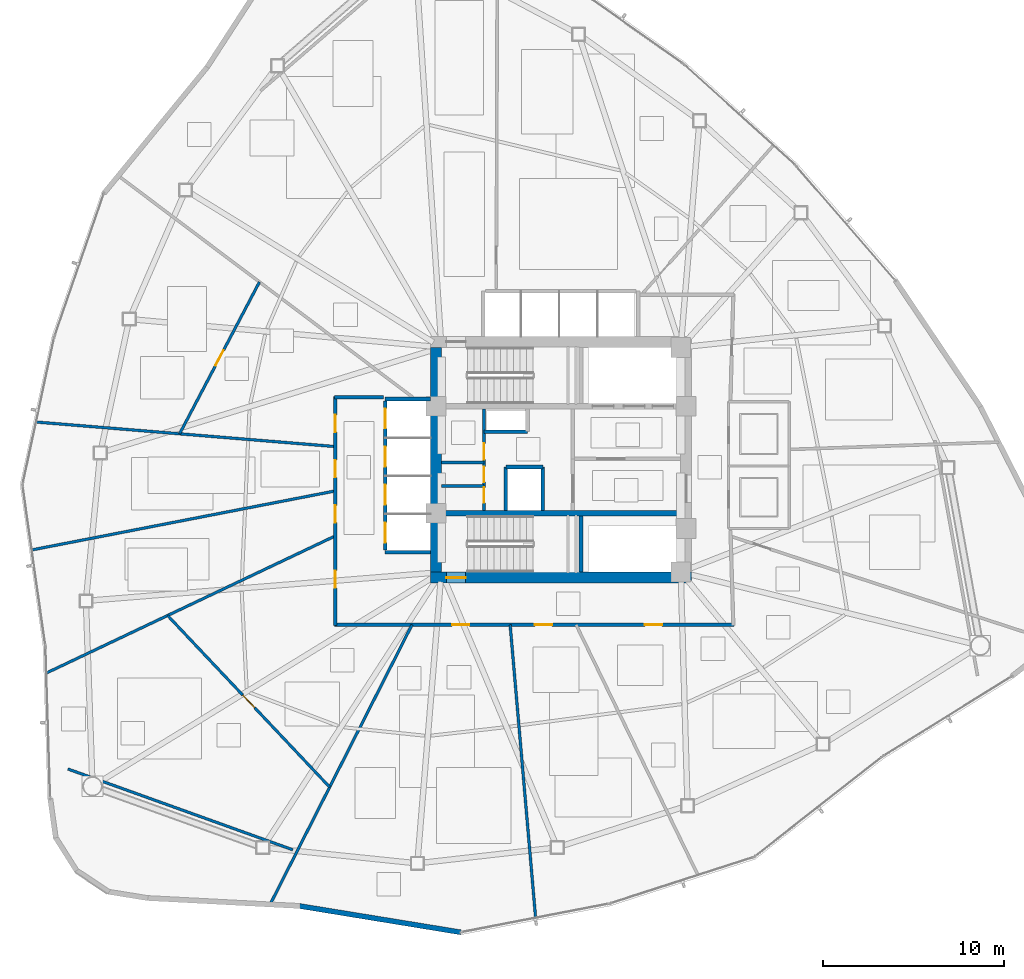
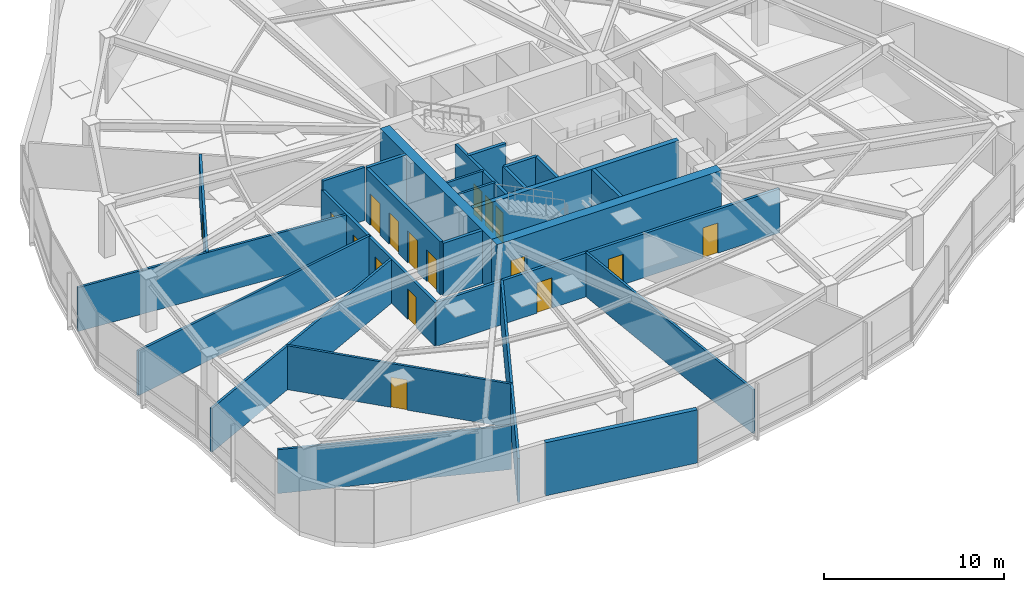
# One storey, part 11 of 17: 26 walls, 17 doors, 17 openings.
"""IFC4 building model written with IfcOpenShell, lengths in metres."""

from ifc_helpers import new_model, si_unit, direction, frame, frame_2d, origin, place, context, subcontext, project, spatial, rectangle, extrude, material, layer, layer_set, type_object, element, fill, save


model = new_model("IFC4")

# Units and contexts
model_context = context("Model", 3, precision=1e-05, world=origin(), true_north=direction((0.0, 1.0)))
body_context = subcontext(model_context, "Body", "Model", "MODEL_VIEW")
ifc_project = project(units=[si_unit("LENGTHUNIT", "METRE"), si_unit("AREAUNIT", "SQUARE_METRE"), si_unit("VOLUMEUNIT", "CUBIC_METRE"), si_unit("PLANEANGLEUNIT", "RADIAN"), si_unit("MASSUNIT", "GRAM", prefix="KILO")], contexts=[model_context])

# Site, building, storey
site_placement = place(None, origin())
site = spatial("IfcSite", under=ifc_project, at=site_placement, CompositionType="ELEMENT")
building_placement = place(site_placement, origin())
building = spatial("IfcBuilding", under=site, at=building_placement, Name="Tavelor Broadcast Tower", CompositionType="ELEMENT")
storey_placement = place(building_placement, frame((0.0, 0.0, 86.10009765625)))
storey = spatial("IfcBuildingStorey", under=building, at=storey_placement, Name="L20", CompositionType="ELEMENT", Elevation=86.10009765625)

# Wall, opening, door
ifc_material_1 = material(Name="Concrete C60/75", Category="concrete")
ifc_layer_1 = layer(ifc_material_1, 0.60009765625)
ifc_layer_set_1 = layer_set([ifc_layer_1], Name="Concrete C60/75")
wall_type_1 = type_object("IfcWallType", Name="Core Shear Wall 600 mm", PredefinedType="SHEAR", material=ifc_layer_set_1)
wall_1_placement = place(storey_placement, frame((42.800048828125, 38.5, 0.0), z_axis=(0.0, 0.0, 1.0), x_axis=(1.0, 0.0, 0.0)))
wall_1 = element("IfcWall", 1, at=wall_1_placement, inside=storey, type_object=wall_type_1, Name="L20 Central Core Shear Wall S", PredefinedType="SHEAR", context=body_context, shape_type="SweptSolid", body=[
    extrude(rectangle(XDim=14.39990234375, YDim=0.60009765625, at=frame_2d((7.199951171875, 0.0))), origin(), (0.0, 0.0, 1.0), 3.599853515625),
])
opening_1_placement = place(wall_1_placement, frame((0.8798828125, 0.0, 0.0)))
opening_1 = element("IfcOpeningElement", 2, at=opening_1_placement, cuts=wall_1, Name="Opening DR11", PredefinedType="OPENING", context=body_context, shape_type="SweptSolid", body=[
    extrude(rectangle(XDim=1.050048828125, YDim=2.199951171875, at=frame_2d((0.52490234375, 1.10009765625))), frame((0.0, 0.31005859375, 0.0), z_axis=(0.0, -1.0, 0.0), x_axis=(1.0, 0.0, 0.0)), (0.0, 0.0, 1.0), 0.6201171875),
])
ifc_material_2 = material(Name="Steel S355", Category="steel")
door_type_1 = type_object("IfcDoorType", Name="Stair Core Fire Escape Door 1050x2200", OperationType="NOTDEFINED", PredefinedType="DOOR", material=ifc_material_2)
door_1_placement = place(opening_1_placement, origin())
door_1 = element("IfcDoor", 3, at=door_1_placement, inside=storey, type_object=door_type_1, Name="L20 Stair ST2 Protected Exit Door", OperationType="SINGLE_SWING_RIGHT", OverallHeight=2.199951171875, OverallWidth=1.050048828125, PredefinedType="DOOR", context=body_context, shape_type="SweptSolid", body=[
    extrude(rectangle(XDim=1.050048828125, YDim=2.199951171875, at=frame_2d((0.52490234375, 1.10009765625))), frame((0.0, 0.02490234375, 0.0), z_axis=(0.0, -1.0, 0.0), x_axis=(1.0, 0.0, 0.0)), (0.0, 0.0, 1.0), 0.050048828125),
])
fill(opening_1, door_1)

# Walls
wall_2_placement = place(storey_placement, frame((43.10009765625, 38.800048828125, 0.0), z_axis=(0.0, 0.0, 1.0), x_axis=(0.0, 1.0, 0.0)))
element("IfcWall", 4, at=wall_2_placement, inside=storey, type_object=wall_type_1, Name="L20 Central Core Shear Wall W", PredefinedType="SHEAR", context=body_context, shape_type="SweptSolid", body=[
    extrude(rectangle(XDim=12.39990234375, YDim=0.60009765625, at=frame_2d((6.199951171875, 0.0))), origin(), (0.0, 0.0, 1.0), 3.599853515625),
])
ifc_layer_2 = layer(ifc_material_1, 0.300048828125)
ifc_layer_set_2 = layer_set([ifc_layer_2], Name="Concrete C60/75")
wall_type_2 = type_object("IfcWallType", Name="Core Spine Shear Wall 300 mm C60", PredefinedType="SHEAR", material=ifc_layer_set_2)
wall_3_placement = place(storey_placement, frame((43.39990234375, 42.050048828125, 0.0), z_axis=(0.0, 0.0, 1.0), x_axis=(1.0, 0.0, 0.0)))
element("IfcWall", 5, at=wall_3_placement, inside=storey, type_object=wall_type_2, Name="L20 Central Core Shear Wall SP2", PredefinedType="SHEAR", context=body_context, shape_type="SweptSolid", body=[
    extrude(rectangle(XDim=13.2001953125, YDim=0.300048828125, at=frame_2d((6.60009765625, 0.0))), origin(), (0.0, 0.0, 1.0), 3.599853515625),
])

# Wall, openings, doors
ifc_material_3 = material(Name="Calcium Silicate Fire Board 180 mm", Category="gypsum")
ifc_layer_3 = layer(ifc_material_3, 0.179931640625)
ifc_layer_set_3 = layer_set([ifc_layer_3], Name="Calcium Silicate Fire Board 180 mm")
wall_type_3 = type_object("IfcWallType", Name="Fire-Rated Corridor Partition Wall 180 mm", PredefinedType="PARTITIONING", material=ifc_layer_set_3)
wall_4_placement = place(storey_placement, frame((45.75, 42.199951171875, 0.0), z_axis=(0.0, 0.0, 1.0), x_axis=(0.0, 1.0, 0.0)))
wall_4 = element("IfcWall", 6, at=wall_4_placement, inside=storey, type_object=wall_type_3, Name="L20 Core West Service East Wall", PredefinedType="PARTITIONING", context=body_context, shape_type="SweptSolid", body=[
    extrude(rectangle(XDim=5.60009765625, YDim=0.179931640625, at=frame_2d((2.800048828125, 0.0))), origin(), (0.0, 0.0, 1.0), 3.599853515625),
])
opening_2_placement = place(wall_4_placement, frame((0.419921875, 0.0, 0.0)))
opening_2 = element("IfcOpeningElement", 7, at=opening_2_placement, cuts=wall_4, Name="Opening DR36", PredefinedType="OPENING", context=body_context, shape_type="SweptSolid", body=[
    extrude(rectangle(XDim=0.85009765625, YDim=2.050048828125, at=frame_2d((0.425048828125, 1.02490234375))), frame((0.0, 0.10009765625, 0.0), z_axis=(0.0, -1.0, 0.0), x_axis=(1.0, 0.0, 0.0)), (0.0, 0.0, 1.0), 0.199951171875),
])
opening_3_placement = place(wall_4_placement, frame((1.570068359375, 0.0, 0.0)))
opening_3 = element("IfcOpeningElement", 8, at=opening_3_placement, cuts=wall_4, Name="Opening DR36", PredefinedType="OPENING", context=body_context, shape_type="SweptSolid", body=[
    extrude(rectangle(XDim=0.85009765625, YDim=2.050048828125, at=frame_2d((0.425048828125, 1.02490234375))), frame((0.0, 0.10009765625, 0.0), z_axis=(0.0, -1.0, 0.0), x_axis=(1.0, 0.0, 0.0)), (0.0, 0.0, 1.0), 0.199951171875),
])
opening_4_placement = place(wall_4_placement, frame((2.800048828125, 0.0, 0.0)))
opening_4 = element("IfcOpeningElement", 9, at=opening_4_placement, cuts=wall_4, Name="Opening DR32", PredefinedType="OPENING", context=body_context, shape_type="SweptSolid", body=[
    extrude(rectangle(XDim=0.89990234375, YDim=2.050048828125, at=frame_2d((0.449951171875, 1.02490234375))), frame((0.0, 0.10009765625, 0.0), z_axis=(0.0, -1.0, 0.0), x_axis=(1.0, 0.0, 0.0)), (0.0, 0.0, 1.0), 0.199951171875),
])
ifc_material_4 = material(Name="Timber Solid Core Hardwood", Category="wood")
door_type_2 = type_object("IfcDoorType", Name="Accessible Washroom Door 900x2050", OperationType="NOTDEFINED", PredefinedType="DOOR", material=ifc_material_4)
door_2_placement = place(opening_4_placement, origin())
door_2 = element("IfcDoor", 10, at=door_2_placement, inside=storey, type_object=door_type_2, Name="L20 Core Accessible WC Door", OperationType="SINGLE_SWING_LEFT", OverallHeight=2.050048828125, OverallWidth=0.89990234375, PredefinedType="DOOR", context=body_context, shape_type="SweptSolid", body=[
    extrude(rectangle(XDim=0.89990234375, YDim=2.050048828125, at=frame_2d((0.449951171875, 1.02490234375))), frame((0.0, 0.02490234375, 0.0), z_axis=(0.0, -1.0, 0.0), x_axis=(1.0, 0.0, 0.0)), (0.0, 0.0, 1.0), 0.050048828125),
])
fill(opening_4, door_2)
door_type_3 = type_object("IfcDoorType", Name="Service Room Fire Door 850x2050", OperationType="NOTDEFINED", PredefinedType="DOOR", material=ifc_material_2)
door_3_placement = place(opening_2_placement, origin())
door_3 = element("IfcDoor", 11, at=door_3_placement, inside=storey, type_object=door_type_3, Name="L20 Core Medical Room Door", OperationType="SINGLE_SWING_LEFT", OverallHeight=2.050048828125, OverallWidth=0.85009765625, PredefinedType="DOOR", context=body_context, shape_type="SweptSolid", body=[
    extrude(rectangle(XDim=0.85009765625, YDim=2.050048828125, at=frame_2d((0.425048828125, 1.02490234375))), frame((0.0, 0.02490234375, 0.0), z_axis=(0.0, -1.0, 0.0), x_axis=(1.0, 0.0, 0.0)), (0.0, 0.0, 1.0), 0.050048828125),
])
fill(opening_2, door_3)
door_4_placement = place(opening_3_placement, origin())
door_4 = element("IfcDoor", 12, at=door_4_placement, inside=storey, type_object=door_type_3, Name="L20 Core Copy Room Door", OperationType="SINGLE_SWING_RIGHT", OverallHeight=2.050048828125, OverallWidth=0.85009765625, PredefinedType="DOOR", context=body_context, shape_type="SweptSolid", body=[
    extrude(rectangle(XDim=0.85009765625, YDim=2.050048828125, at=frame_2d((0.425048828125, 1.02490234375))), frame((0.0, 0.02490234375, 0.0), z_axis=(0.0, -1.0, 0.0), x_axis=(1.0, 0.0, 0.0)), (0.0, 0.0, 1.0), 0.050048828125),
])
fill(opening_3, door_4)

wall_5_placement = place(storey_placement, frame((59.550048828125, 35.89990234375, 0.0), z_axis=(0.0, 0.0, 1.0), x_axis=(-1.0, 0.0, 0.0)))
wall_5 = element("IfcWall", 13, at=wall_5_placement, inside=storey, type_object=wall_type_3, Name="L20 Corridor Compartment Wall 04", PredefinedType="PARTITIONING", context=body_context, shape_type="SweptSolid", body=[
    extrude(rectangle(XDim=22.050048828125, YDim=0.179931640625, at=frame_2d((11.02490234375, 0.0))), origin(), (0.0, 0.0, 1.0), 2.974853515625),
])
opening_5_placement = place(wall_5_placement, frame((3.972412109375, 0.0, 0.0)))
opening_5 = element("IfcOpeningElement", 14, at=opening_5_placement, cuts=wall_5, Name="Opening DR18", PredefinedType="OPENING", context=body_context, shape_type="SweptSolid", body=[
    extrude(rectangle(XDim=0.949951171875, YDim=2.050048828125, at=frame_2d((0.47509765625, 1.02490234375))), frame((0.0, 0.10009765625, 0.0), z_axis=(0.0, -1.0, 0.0), x_axis=(1.0, 0.0, 0.0)), (0.0, 0.0, 1.0), 0.199951171875),
])
opening_6_placement = place(wall_5_placement, frame((10.0390625, 0.0, 0.0)))
opening_6 = element("IfcOpeningElement", 15, at=opening_6_placement, cuts=wall_5, Name="Opening DR18", PredefinedType="OPENING", context=body_context, shape_type="SweptSolid", body=[
    extrude(rectangle(XDim=0.949951171875, YDim=2.050048828125, at=frame_2d((0.47509765625, 1.02490234375))), frame((0.0, 0.10009765625, 0.0), z_axis=(0.0, -1.0, 0.0), x_axis=(1.0, 0.0, 0.0)), (0.0, 0.0, 1.0), 0.199951171875),
])
opening_7_placement = place(wall_5_placement, frame((14.606201171875, 0.0, 0.0)))
opening_7 = element("IfcOpeningElement", 16, at=opening_7_placement, cuts=wall_5, Name="Opening DR18", PredefinedType="OPENING", context=body_context, shape_type="SweptSolid", body=[
    extrude(rectangle(XDim=0.949951171875, YDim=2.050048828125, at=frame_2d((0.47509765625, 1.02490234375))), frame((0.0, 0.10009765625, 0.0), z_axis=(0.0, -1.0, 0.0), x_axis=(1.0, 0.0, 0.0)), (0.0, 0.0, 1.0), 0.199951171875),
])
door_type_4 = type_object("IfcDoorType", Name="Corridor Rated Compartment Door 950x2050", OperationType="NOTDEFINED", PredefinedType="DOOR", material=ifc_material_4)
door_5_placement = place(opening_5_placement, origin())
door_5 = element("IfcDoor", 17, at=door_5_placement, inside=storey, type_object=door_type_4, Name="L20 Editorial Quiet Study Door R0", OperationType="SINGLE_SWING_RIGHT", OverallHeight=2.050048828125, OverallWidth=0.949951171875, PredefinedType="DOOR", context=body_context, shape_type="SweptSolid", body=[
    extrude(rectangle(XDim=0.949951171875, YDim=2.050048828125, at=frame_2d((0.47509765625, 1.02490234375))), frame((0.0, 0.02490234375, 0.0), z_axis=(0.0, -1.0, 0.0), x_axis=(1.0, 0.0, 0.0)), (0.0, 0.0, 1.0), 0.050048828125),
])
fill(opening_5, door_5)
door_6_placement = place(opening_6_placement, origin())
door_6 = element("IfcDoor", 18, at=door_6_placement, inside=storey, type_object=door_type_4, Name="L20 Broadcast Script Study Door R1", OperationType="SINGLE_SWING_LEFT", OverallHeight=2.050048828125, OverallWidth=0.949951171875, PredefinedType="DOOR", context=body_context, shape_type="SweptSolid", body=[
    extrude(rectangle(XDim=0.949951171875, YDim=2.050048828125, at=frame_2d((0.47509765625, 1.02490234375))), frame((0.0, 0.02490234375, 0.0), z_axis=(0.0, -1.0, 0.0), x_axis=(1.0, 0.0, 0.0)), (0.0, 0.0, 1.0), 0.050048828125),
])
fill(opening_6, door_6)
door_7_placement = place(opening_7_placement, origin())
door_7 = element("IfcDoor", 19, at=door_7_placement, inside=storey, type_object=door_type_4, Name="L20 Executive Reading Study Door R2", OperationType="SINGLE_SWING_RIGHT", OverallHeight=2.050048828125, OverallWidth=0.949951171875, PredefinedType="DOOR", context=body_context, shape_type="SweptSolid", body=[
    extrude(rectangle(XDim=0.949951171875, YDim=2.050048828125, at=frame_2d((0.47509765625, 1.02490234375))), frame((0.0, 0.02490234375, 0.0), z_axis=(0.0, -1.0, 0.0), x_axis=(1.0, 0.0, 0.0)), (0.0, 0.0, 1.0), 0.050048828125),
])
fill(opening_7, door_7)

wall_6_placement = place(storey_placement, frame((37.550048828125, 35.85009765625, 0.0), z_axis=(0.0, 0.0, 1.0), x_axis=(0.0, 1.0, 0.0)))
wall_6 = element("IfcWall", 20, at=wall_6_placement, inside=storey, type_object=wall_type_3, Name="L20 Corridor Compartment Wall 05", PredefinedType="PARTITIONING", context=body_context, shape_type="SweptSolid", body=[
    extrude(rectangle(XDim=12.64990234375, YDim=0.179931640625, at=frame_2d((6.324951171875, 0.0))), origin(), (0.0, 0.0, 1.0), 2.974853515625),
])
opening_8_placement = place(wall_6_placement, frame((2.087646484375, 0.0, 0.0)))
opening_8 = element("IfcOpeningElement", 21, at=opening_8_placement, cuts=wall_6, Name="Opening DR18", PredefinedType="OPENING", context=body_context, shape_type="SweptSolid", body=[
    extrude(rectangle(XDim=0.949951171875, YDim=2.050048828125, at=frame_2d((0.47509765625, 1.02490234375))), frame((0.0, 0.10009765625, 0.0), z_axis=(0.0, -1.0, 0.0), x_axis=(1.0, 0.0, 0.0)), (0.0, 0.0, 1.0), 0.199951171875),
])
opening_9_placement = place(wall_6_placement, frame((5.68310546875, 0.0, 0.0)))
opening_9 = element("IfcOpeningElement", 22, at=opening_9_placement, cuts=wall_6, Name="Opening DR18", PredefinedType="OPENING", context=body_context, shape_type="SweptSolid", body=[
    extrude(rectangle(XDim=0.949951171875, YDim=2.050048828125, at=frame_2d((0.47509765625, 1.02490234375))), frame((0.0, 0.10009765625, 0.0), z_axis=(0.0, -1.0, 0.0), x_axis=(1.0, 0.0, 0.0)), (0.0, 0.0, 1.0), 0.199951171875),
])
opening_10_placement = place(wall_6_placement, frame((8.1728515625, 0.0, 0.0)))
opening_10 = element("IfcOpeningElement", 23, at=opening_10_placement, cuts=wall_6, Name="Opening DR18", PredefinedType="OPENING", context=body_context, shape_type="SweptSolid", body=[
    extrude(rectangle(XDim=0.949951171875, YDim=2.050048828125, at=frame_2d((0.47509765625, 1.02490234375))), frame((0.0, 0.10009765625, 0.0), z_axis=(0.0, -1.0, 0.0), x_axis=(1.0, 0.0, 0.0)), (0.0, 0.0, 1.0), 0.199951171875),
])
opening_11_placement = place(wall_6_placement, frame((10.6748046875, 0.0, 0.0)))
opening_11 = element("IfcOpeningElement", 24, at=opening_11_placement, cuts=wall_6, Name="Opening DR18", PredefinedType="OPENING", context=body_context, shape_type="SweptSolid", body=[
    extrude(rectangle(XDim=0.949951171875, YDim=2.050048828125, at=frame_2d((0.47509765625, 1.02490234375))), frame((0.0, 0.10009765625, 0.0), z_axis=(0.0, -1.0, 0.0), x_axis=(1.0, 0.0, 0.0)), (0.0, 0.0, 1.0), 0.199951171875),
])
door_8_placement = place(opening_8_placement, origin())
door_8 = element("IfcDoor", 25, at=door_8_placement, inside=storey, type_object=door_type_4, Name="L20 Producer Interview Room Door R12", OperationType="SINGLE_SWING_LEFT", OverallHeight=2.050048828125, OverallWidth=0.949951171875, PredefinedType="DOOR", context=body_context, shape_type="SweptSolid", body=[
    extrude(rectangle(XDim=0.949951171875, YDim=2.050048828125, at=frame_2d((0.47509765625, 1.02490234375))), frame((0.0, 0.02490234375, 0.0), z_axis=(0.0, -1.0, 0.0), x_axis=(1.0, 0.0, 0.0)), (0.0, 0.0, 1.0), 0.050048828125),
])
fill(opening_8, door_8)
door_9_placement = place(opening_9_placement, origin())
door_9 = element("IfcDoor", 26, at=door_9_placement, inside=storey, type_object=door_type_4, Name="L20 Documentary Research Study Door R4", OperationType="SINGLE_SWING_RIGHT", OverallHeight=2.050048828125, OverallWidth=0.949951171875, PredefinedType="DOOR", context=body_context, shape_type="SweptSolid", body=[
    extrude(rectangle(XDim=0.949951171875, YDim=2.050048828125, at=frame_2d((0.47509765625, 1.02490234375))), frame((0.0, 0.02490234375, 0.0), z_axis=(0.0, -1.0, 0.0), x_axis=(1.0, 0.0, 0.0)), (0.0, 0.0, 1.0), 0.050048828125),
])
fill(opening_9, door_9)
door_10_placement = place(opening_10_placement, origin())
door_10 = element("IfcDoor", 27, at=door_10_placement, inside=storey, type_object=door_type_4, Name="L20 Talent Script Den Door R5", OperationType="SINGLE_SWING_LEFT", OverallHeight=2.050048828125, OverallWidth=0.949951171875, PredefinedType="DOOR", context=body_context, shape_type="SweptSolid", body=[
    extrude(rectangle(XDim=0.949951171875, YDim=2.050048828125, at=frame_2d((0.47509765625, 1.02490234375))), frame((0.0, 0.02490234375, 0.0), z_axis=(0.0, -1.0, 0.0), x_axis=(1.0, 0.0, 0.0)), (0.0, 0.0, 1.0), 0.050048828125),
])
fill(opening_10, door_10)
door_11_placement = place(opening_11_placement, origin())
door_11 = element("IfcDoor", 28, at=door_11_placement, inside=storey, type_object=door_type_4, Name="L20 VFX Compositing Lab Door R11", OperationType="SINGLE_SWING_RIGHT", OverallHeight=2.050048828125, OverallWidth=0.949951171875, PredefinedType="DOOR", context=body_context, shape_type="SweptSolid", body=[
    extrude(rectangle(XDim=0.949951171875, YDim=2.050048828125, at=frame_2d((0.47509765625, 1.02490234375))), frame((0.0, 0.02490234375, 0.0), z_axis=(0.0, -1.0, 0.0), x_axis=(1.0, 0.0, 0.0)), (0.0, 0.0, 1.0), 0.050048828125),
])
fill(opening_11, door_11)

# Walls
wall_7_placement = place(storey_placement, frame((37.5, 48.449951171875, 0.0), z_axis=(0.0, 0.0, 1.0), x_axis=(1.0, 0.0, 0.0)))
element("IfcWall", 29, at=wall_7_placement, inside=storey, type_object=wall_type_3, Name="L20 Corridor Compartment Wall 06", PredefinedType="PARTITIONING", context=body_context, shape_type="SweptSolid", body=[
    extrude(rectangle(XDim=2.699951171875, YDim=0.179931640625, at=frame_2d((1.35009765625, 0.0))), origin(), (0.0, 0.0, 1.0), 3.599853515625),
])
ifc_material_5 = material(Name="Precast Concrete C40/50", Category="concrete")
ifc_layer_4 = layer(ifc_material_5, 0.280029296875)
ifc_layer_set_4 = layer_set([ifc_layer_4], Name="Precast Concrete C40/50")
wall_type_4 = type_object("IfcWallType", Name="Insulated Precast Terracotta Facade Wall 280 mm", PredefinedType="STANDARD", material=ifc_layer_set_4)
wall_8_placement = place(storey_placement, frame((35.57421875, 20.388671875, 0.0), z_axis=(0.0, 0.0, 1.0), x_axis=(0.986949303504, -0.161031277435, 0.0)))
element("IfcWall", 30, at=wall_8_placement, inside=storey, type_object=wall_type_4, Name="L20 Rounded Corner Structural Cladding Pier 16", PredefinedType="STANDARD", context=body_context, shape_type="SweptSolid", body=[
    extrude(rectangle(XDim=9.019287109375, YDim=0.280029296875, at=frame_2d((4.509765625, 0.0))), origin(), (0.0, 0.0, 1.0), 3.599853515625),
])
ifc_material_6 = material(Name="Gypsum Acoustic Plasterboard 150 mm", Category="gypsum")
ifc_layer_5 = layer(ifc_material_6, 0.14990234375)
ifc_layer_set_5 = layer_set([ifc_layer_5], Name="Gypsum Acoustic Plasterboard 150 mm")
wall_type_5 = type_object("IfcWallType", Name="Interior Acoustic Partition Wall 150 mm", PredefinedType="PARTITIONING", material=ifc_layer_set_5)
for number, where, z_axis, x_axis, name in (
    (31, (43.39990234375, 43.550048828125, 0.0), (0.0, 0.0, 1.0), (1.0, 0.0, 0.0), "L20 Core Split Wall B1"),
    (32, (43.39990234375, 44.85009765625, 0.0), (0.0, 0.0, 1.0), (1.0, 0.0, 0.0), "L20 Core Split Wall B2"),
):
    element("IfcWall", number, at=place(storey_placement, frame(where, z_axis=z_axis, x_axis=x_axis)), inside=storey, type_object=wall_type_5, Name=name, PredefinedType="PARTITIONING", context=body_context, shape_type="SweptSolid", body=[
        extrude(rectangle(XDim=2.35009765625, YDim=0.14990234375, at=frame_2d((1.175048828125, 0.0))), origin(), (0.0, 0.0, 1.0), 3.599853515625),
    ])
wall_9_placement = place(storey_placement, frame((22.802001953125, 27.94482421875, 0.0), z_axis=(0.0, 0.0, 1.0), x_axis=(0.941102349209, -0.338121824662, 0.0)))
element("IfcWall", 33, at=wall_9_placement, inside=storey, type_object=wall_type_5, Name="L20 Corner Tube Brace Furring Wall 2", PredefinedType="PARTITIONING", context=body_context, shape_type="SweptSolid", body=[
    extrude(rectangle(XDim=13.1796875, YDim=0.14990234375, at=frame_2d((6.58984375, 0.0))), origin(), (0.0, 0.0, 1.0), 2.974853515625),
])
wall_10_placement = place(storey_placement, frame((37.550048828125, 43.27978515625, 0.0), z_axis=(0.0, 0.0, 1.0), x_axis=(-0.9816263354, -0.190813358152, 0.0)))
element("IfcWall", 34, at=wall_10_placement, inside=storey, type_object=wall_type_5, Name="L20 Radial Compartment Wall 01", PredefinedType="PARTITIONING", context=body_context, shape_type="SweptSolid", body=[
    extrude(rectangle(XDim=17.061767578125, YDim=0.14990234375, at=frame_2d((8.53076171875, 0.0))), origin(), (0.0, 0.0, 1.0), 3.02490234375),
])
wall_11_placement = place(storey_placement, frame((37.550048828125, 40.7998046875, 0.0), z_axis=(0.0, 0.0, 1.0), x_axis=(-0.903418546956, -0.428759756759, 0.0)))
element("IfcWall", 35, at=wall_11_placement, inside=storey, type_object=wall_type_5, Name="L20 Radial Compartment Wall 02", PredefinedType="PARTITIONING", context=body_context, shape_type="SweptSolid", body=[
    extrude(rectangle(XDim=17.654052734375, YDim=0.14990234375, at=frame_2d((8.8271484375, 0.0))), origin(), (0.0, 0.0, 1.0), 2.974853515625),
])
wall_12_placement = place(storey_placement, frame((41.78173828125, 35.89990234375, 0.0), z_axis=(0.0, 0.0, 1.0), x_axis=(-0.452547459276, -0.891740319321, 0.0)))
element("IfcWall", 36, at=wall_12_placement, inside=storey, type_object=wall_type_5, Name="L20 Radial Compartment Wall 03", PredefinedType="PARTITIONING", context=body_context, shape_type="SweptSolid", body=[
    extrude(rectangle(XDim=17.3125, YDim=0.14990234375, at=frame_2d((8.65625, 0.0))), origin(), (0.0, 0.0, 1.0), 2.974853515625),
])
wall_13_placement = place(storey_placement, frame((47.191162109375, 35.89990234375, 0.0), z_axis=(0.0, 0.0, 1.0), x_axis=(0.086603664122, -0.996242844572, 0.0)))
element("IfcWall", 37, at=wall_13_placement, inside=storey, type_object=wall_type_5, Name="L20 Radial Compartment Wall 04", PredefinedType="PARTITIONING", context=body_context, shape_type="SweptSolid", body=[
    extrude(rectangle(XDim=16.23779296875, YDim=0.14990234375, at=frame_2d((8.118896484375, 0.0))), origin(), (0.0, 0.0, 1.0), 2.974853515625),
])
wall_14_placement = place(storey_placement, frame((37.550048828125, 45.72607421875, 0.0), z_axis=(0.0, 0.0, 1.0), x_axis=(-0.996651933506, 0.081761381101, 0.0)))
element("IfcWall", 38, at=wall_14_placement, inside=storey, type_object=wall_type_5, Name="L20 Radial Compartment Wall 11", PredefinedType="PARTITIONING", context=body_context, shape_type="SweptSolid", body=[
    extrude(rectangle(XDim=16.5693359375, YDim=0.14990234375, at=frame_2d((8.28466796875, 0.0))), origin(), (0.0, 0.0, 1.0), 2.974853515625),
])

# Wall, opening, door
wall_15_placement = place(storey_placement, frame((33.36767578125, 54.8037109375, 0.0), z_axis=(0.0, 0.0, 1.0), x_axis=(-0.465574129331, -0.885008887016, 0.0)))
wall_15 = element("IfcWall", 39, at=wall_15_placement, inside=storey, type_object=wall_type_5, Name="L20 Suite Chord Partition Wall 01", PredefinedType="PARTITIONING", context=body_context, shape_type="SweptSolid", body=[
    extrude(rectangle(XDim=9.4609375, YDim=0.14990234375, at=frame_2d((4.73046875, 0.0))), origin(), (0.0, 0.0, 1.0), 2.974853515625),
])
opening_12_placement = place(wall_15_placement, frame((4.255615234375, 0.0, 0.0)))
opening_12 = element("IfcOpeningElement", 40, at=opening_12_placement, cuts=wall_15, Name="Opening DR23", PredefinedType="OPENING", context=body_context, shape_type="SweptSolid", body=[
    extrude(rectangle(XDim=0.949951171875, YDim=2.050048828125, at=frame_2d((0.47509765625, 1.02490234375))), frame((0.0, 0.0849609375, 0.0), z_axis=(0.0, -1.0, 0.0), x_axis=(1.0, 0.0, 0.0)), (0.0, 0.0, 1.0), 0.169921875),
])
door_type_5 = type_object("IfcDoorType", Name="Editorial Room Acoustic Door 950x2050", OperationType="NOTDEFINED", PredefinedType="DOOR", material=ifc_material_4)
door_12_placement = place(opening_12_placement, origin())
door_12 = element("IfcDoor", 41, at=door_12_placement, inside=storey, type_object=door_type_5, Name="L20 Outer Suite Partition Door 1", OperationType="SINGLE_SWING_LEFT", OverallHeight=2.050048828125, OverallWidth=0.949951171875, PredefinedType="DOOR", context=body_context, shape_type="SweptSolid", body=[
    extrude(rectangle(XDim=0.949951171875, YDim=2.050048828125, at=frame_2d((0.47509765625, 1.02490234375))), frame((0.0, 0.02490234375, 0.0), z_axis=(0.0, -1.0, 0.0), x_axis=(1.0, 0.0, 0.0)), (0.0, 0.0, 1.0), 0.050048828125),
])
fill(opening_12, door_12)

wall_16_placement = place(storey_placement, frame((28.299560546875, 36.409423828125, 0.0), z_axis=(0.0, 0.0, 1.0), x_axis=(0.686638402181, -0.726999109113, 0.0)))
wall_16 = element("IfcWall", 42, at=wall_16_placement, inside=storey, type_object=wall_type_5, Name="L20 Suite Chord Partition Wall 02", PredefinedType="PARTITIONING", context=body_context, shape_type="SweptSolid", body=[
    extrude(rectangle(XDim=13.017333984375, YDim=0.14990234375, at=frame_2d((6.5087890625, 0.0))), origin(), (0.0, 0.0, 1.0), 2.974853515625),
])
opening_13_placement = place(wall_16_placement, frame((6.03369140625, 0.0, 0.0)))
opening_13 = element("IfcOpeningElement", 43, at=opening_13_placement, cuts=wall_16, Name="Opening DR23", PredefinedType="OPENING", context=body_context, shape_type="SweptSolid", body=[
    extrude(rectangle(XDim=0.949951171875, YDim=2.050048828125, at=frame_2d((0.47509765625, 1.02490234375))), frame((0.0, 0.0849609375, 0.0), z_axis=(0.0, -1.0, 0.0), x_axis=(1.0, 0.0, 0.0)), (0.0, 0.0, 1.0), 0.169921875),
])
door_13_placement = place(opening_13_placement, origin())
door_13 = element("IfcDoor", 44, at=door_13_placement, inside=storey, type_object=door_type_5, Name="L20 Outer Suite Partition Door 2", OperationType="SINGLE_SWING_RIGHT", OverallHeight=2.050048828125, OverallWidth=0.949951171875, PredefinedType="DOOR", context=body_context, shape_type="SweptSolid", body=[
    extrude(rectangle(XDim=0.949951171875, YDim=2.050048828125, at=frame_2d((0.47509765625, 1.02490234375))), frame((0.0, 0.02490234375, 0.0), z_axis=(0.0, -1.0, 0.0), x_axis=(1.0, 0.0, 0.0)), (0.0, 0.0, 1.0), 0.050048828125),
])
fill(opening_13, door_13)

# Wall, openings, doors
ifc_material_7 = material(Name="Concrete Blockwork 200 mm", Category="masonry")
ifc_layer_6 = layer(ifc_material_7, 0.199951171875)
ifc_layer_set_6 = layer_set([ifc_layer_6], Name="Concrete Blockwork 200 mm")
wall_type_6 = type_object("IfcWallType", Name="Lift Hoistway Rated Front Wall 200 mm", PredefinedType="PARTITIONING", material=ifc_layer_set_6)
wall_17_placement = place(storey_placement, frame((40.300048828125, 40.02001953125, 0.0), z_axis=(0.0, 0.0, 1.0), x_axis=(0.0, 1.0, 0.0)))
wall_17 = element("IfcWall", 45, at=wall_17_placement, inside=storey, type_object=wall_type_6, Name="L20 Low-Rise Lift Hoistway Front Wall", PredefinedType="PARTITIONING", context=body_context, shape_type="SweptSolid", body=[
    extrude(rectangle(XDim=8.2099609375, YDim=0.199951171875, at=frame_2d((4.10498046875, 0.0))), origin(), (0.0, 0.0, 1.0), 3.599853515625),
])
opening_14_placement = place(wall_17_placement, frame((0.405029296875, 0.0, 0.0)))
opening_14 = element("IfcOpeningElement", 46, at=opening_14_placement, cuts=wall_17, Name="Opening LD01", PredefinedType="OPENING", context=body_context, shape_type="SweptSolid", body=[
    extrude(rectangle(XDim=1.10009765625, YDim=2.14990234375, at=frame_2d((0.550048828125, 1.074951171875))), frame((0.0, 0.10986328125, 0.0), z_axis=(0.0, -1.0, 0.0), x_axis=(1.0, 0.0, 0.0)), (0.0, 0.0, 1.0), 0.219970703125),
])
opening_15_placement = place(wall_17_placement, frame((2.5048828125, 0.0, 0.0)))
opening_15 = element("IfcOpeningElement", 47, at=opening_15_placement, cuts=wall_17, Name="Opening LD01", PredefinedType="OPENING", context=body_context, shape_type="SweptSolid", body=[
    extrude(rectangle(XDim=1.10009765625, YDim=2.14990234375, at=frame_2d((0.550048828125, 1.074951171875))), frame((0.0, 0.10986328125, 0.0), z_axis=(0.0, -1.0, 0.0), x_axis=(1.0, 0.0, 0.0)), (0.0, 0.0, 1.0), 0.219970703125),
])
opening_16_placement = place(wall_17_placement, frame((4.60498046875, 0.0, 0.0)))
opening_16 = element("IfcOpeningElement", 48, at=opening_16_placement, cuts=wall_17, Name="Opening LD01", PredefinedType="OPENING", context=body_context, shape_type="SweptSolid", body=[
    extrude(rectangle(XDim=1.10009765625, YDim=2.14990234375, at=frame_2d((0.550048828125, 1.074951171875))), frame((0.0, 0.10986328125, 0.0), z_axis=(0.0, -1.0, 0.0), x_axis=(1.0, 0.0, 0.0)), (0.0, 0.0, 1.0), 0.219970703125),
])
opening_17_placement = place(wall_17_placement, frame((6.705078125, 0.0, 0.0)))
opening_17 = element("IfcOpeningElement", 49, at=opening_17_placement, cuts=wall_17, Name="Opening LD01", PredefinedType="OPENING", context=body_context, shape_type="SweptSolid", body=[
    extrude(rectangle(XDim=1.10009765625, YDim=2.14990234375, at=frame_2d((0.550048828125, 1.074951171875))), frame((0.0, 0.10986328125, 0.0), z_axis=(0.0, -1.0, 0.0), x_axis=(1.0, 0.0, 0.0)), (0.0, 0.0, 1.0), 0.219970703125),
])
ifc_material_8 = material(Name="Brushed Stainless Steel", Category="steel")
door_type_6 = type_object("IfcDoorType", Name="Passenger Lift Sliding Landing Door 1100x2150", OperationType="NOTDEFINED", PredefinedType="DOOR", material=ifc_material_8)
door_14_placement = place(opening_14_placement, origin())
door_14 = element("IfcDoor", 50, at=door_14_placement, inside=storey, type_object=door_type_6, Name="L20 Lift PLL1 Sliding Landing Door", OperationType="SLIDING_TO_LEFT", OverallHeight=2.14990234375, OverallWidth=1.10009765625, PredefinedType="DOOR", context=body_context, shape_type="SweptSolid", body=[
    extrude(rectangle(XDim=1.10009765625, YDim=2.14990234375, at=frame_2d((0.550048828125, 1.074951171875))), frame((0.0, 0.02490234375, 0.0), z_axis=(0.0, -1.0, 0.0), x_axis=(1.0, 0.0, 0.0)), (0.0, 0.0, 1.0), 0.050048828125),
])
fill(opening_14, door_14)
door_15_placement = place(opening_15_placement, origin())
door_15 = element("IfcDoor", 51, at=door_15_placement, inside=storey, type_object=door_type_6, Name="L20 Lift PLL2 Sliding Landing Door", OperationType="SLIDING_TO_RIGHT", OverallHeight=2.14990234375, OverallWidth=1.10009765625, PredefinedType="DOOR", context=body_context, shape_type="SweptSolid", body=[
    extrude(rectangle(XDim=1.10009765625, YDim=2.14990234375, at=frame_2d((0.550048828125, 1.074951171875))), frame((0.0, 0.02490234375, 0.0), z_axis=(0.0, -1.0, 0.0), x_axis=(1.0, 0.0, 0.0)), (0.0, 0.0, 1.0), 0.050048828125),
])
fill(opening_15, door_15)
door_16_placement = place(opening_16_placement, origin())
door_16 = element("IfcDoor", 52, at=door_16_placement, inside=storey, type_object=door_type_6, Name="L20 Lift PLL3 Sliding Landing Door", OperationType="SLIDING_TO_LEFT", OverallHeight=2.14990234375, OverallWidth=1.10009765625, PredefinedType="DOOR", context=body_context, shape_type="SweptSolid", body=[
    extrude(rectangle(XDim=1.10009765625, YDim=2.14990234375, at=frame_2d((0.550048828125, 1.074951171875))), frame((0.0, 0.02490234375, 0.0), z_axis=(0.0, -1.0, 0.0), x_axis=(1.0, 0.0, 0.0)), (0.0, 0.0, 1.0), 0.050048828125),
])
fill(opening_16, door_16)
door_17_placement = place(opening_17_placement, origin())
door_17 = element("IfcDoor", 53, at=door_17_placement, inside=storey, type_object=door_type_6, Name="L20 Lift PLL4 Sliding Landing Door", OperationType="SLIDING_TO_RIGHT", OverallHeight=2.14990234375, OverallWidth=1.10009765625, PredefinedType="DOOR", context=body_context, shape_type="SweptSolid", body=[
    extrude(rectangle(XDim=1.10009765625, YDim=2.14990234375, at=frame_2d((0.550048828125, 1.074951171875))), frame((0.0, 0.02490234375, 0.0), z_axis=(0.0, -1.0, 0.0), x_axis=(1.0, 0.0, 0.0)), (0.0, 0.0, 1.0), 0.050048828125),
])
fill(opening_17, door_17)

# Walls
wall_18_placement = place(storey_placement, frame((49.0, 42.199951171875, 0.0), z_axis=(0.0, 0.0, 1.0), x_axis=(0.0, 1.0, 0.0)))
element("IfcWall", 54, at=wall_18_placement, inside=storey, type_object=wall_type_6, Name="L20 Mid-Rise Lift PLM4 Hoistway Front Wall", PredefinedType="PARTITIONING", context=body_context, shape_type="SweptSolid", body=[
    extrude(rectangle(XDim=2.400146484375, YDim=0.199951171875, at=frame_2d((1.2001953125, 0.0))), origin(), (0.0, 0.0, 1.0), 3.599853515625),
])
ifc_layer_7 = layer(ifc_material_7, 0.199951171875)
ifc_layer_set_7 = layer_set([ifc_layer_7], Name="Concrete Blockwork 200 mm")
wall_type_7 = type_object("IfcWallType", Name="Lift and Riser Shaft Enclosure Wall 200 mm", PredefinedType="PARTITIONING", material=ifc_layer_set_7)
for number, where, z_axis, x_axis, name in (
    (55, (40.300048828125, 39.89990234375, 0.0), (0.0, 0.0, 1.0), (1.0, 0.0, 0.0), "L20 Low-Rise Lift Shaft South Wall"),
    (56, (40.300048828125, 48.35009765625, 0.0), (0.0, 0.0, 1.0), (1.0, 0.0, 0.0), "L20 Low-Rise Lift Shaft North Wall"),
):
    element("IfcWall", number, at=place(storey_placement, frame(where, z_axis=z_axis, x_axis=x_axis)), inside=storey, type_object=wall_type_7, Name=name, PredefinedType="PARTITIONING", context=body_context, shape_type="SweptSolid", body=[
        extrude(rectangle(XDim=2.5, YDim=0.199951171875, at=frame_2d((1.25, 0.0))), origin(), (0.0, 0.0, 1.0), 3.599853515625),
    ])
wall_19_placement = place(storey_placement, frame((45.75, 46.550048828125, 0.0), z_axis=(0.0, 0.0, 1.0), x_axis=(1.0, 0.0, 0.0)))
element("IfcWall", 57, at=wall_19_placement, inside=storey, type_object=wall_type_7, Name="L20 Riser Shaft South Wall", PredefinedType="PARTITIONING", context=body_context, shape_type="SweptSolid", body=[
    extrude(rectangle(XDim=2.39990234375, YDim=0.199951171875, at=frame_2d((1.199951171875, 0.0))), origin(), (0.0, 0.0, 1.0), 3.599853515625),
])
wall_20_placement = place(storey_placement, frame((46.949951171875, 42.199951171875, 0.0), z_axis=(0.0, 0.0, 1.0), x_axis=(0.0, 1.0, 0.0)))
element("IfcWall", 58, at=wall_20_placement, inside=storey, type_object=wall_type_7, Name="L20 Mid-Rise Lift PLM4 West Wall", PredefinedType="PARTITIONING", context=body_context, shape_type="SweptSolid", body=[
    extrude(rectangle(XDim=2.400146484375, YDim=0.199951171875, at=frame_2d((1.2001953125, 0.0))), origin(), (0.0, 0.0, 1.0), 3.599853515625),
])
wall_21_placement = place(storey_placement, frame((46.949951171875, 44.60009765625, 0.0), z_axis=(0.0, 0.0, 1.0), x_axis=(1.0, 0.0, 0.0)))
element("IfcWall", 59, at=wall_21_placement, inside=storey, type_object=wall_type_7, Name="L20 Mid-Rise Lift PLM4 North Wall", PredefinedType="PARTITIONING", context=body_context, shape_type="SweptSolid", body=[
    extrude(rectangle(XDim=2.050048828125, YDim=0.199951171875, at=frame_2d((1.02490234375, 0.0))), origin(), (0.0, 0.0, 1.0), 3.599853515625),
])
ifc_material_9 = material(Name="Concrete C40/50", Category="concrete")
ifc_layer_8 = layer(ifc_material_9, 0.219970703125)
ifc_layer_set_8 = layer_set([ifc_layer_8], Name="Concrete C40/50")
wall_type_8 = type_object("IfcWallType", Name="Structural Stairwell Shear Wall 220 mm", PredefinedType="SHEAR", material=ifc_layer_set_8)
wall_22_placement = place(storey_placement, frame((51.110107421875, 38.800048828125, 0.0), z_axis=(0.0, 0.0, 1.0), x_axis=(0.0, 1.0, 0.0)))
element("IfcWall", 60, at=wall_22_placement, inside=storey, type_object=wall_type_8, Name="L20 Stair ST2 Structural Shaft Wall", PredefinedType="SHEAR", context=body_context, shape_type="SweptSolid", body=[
    extrude(rectangle(XDim=3.099853515625, YDim=0.219970703125, at=frame_2d((1.5498046875, 0.0))), origin(), (0.0, 0.0, 1.0), 3.599853515625),
])

save(model, "model.ifc")
